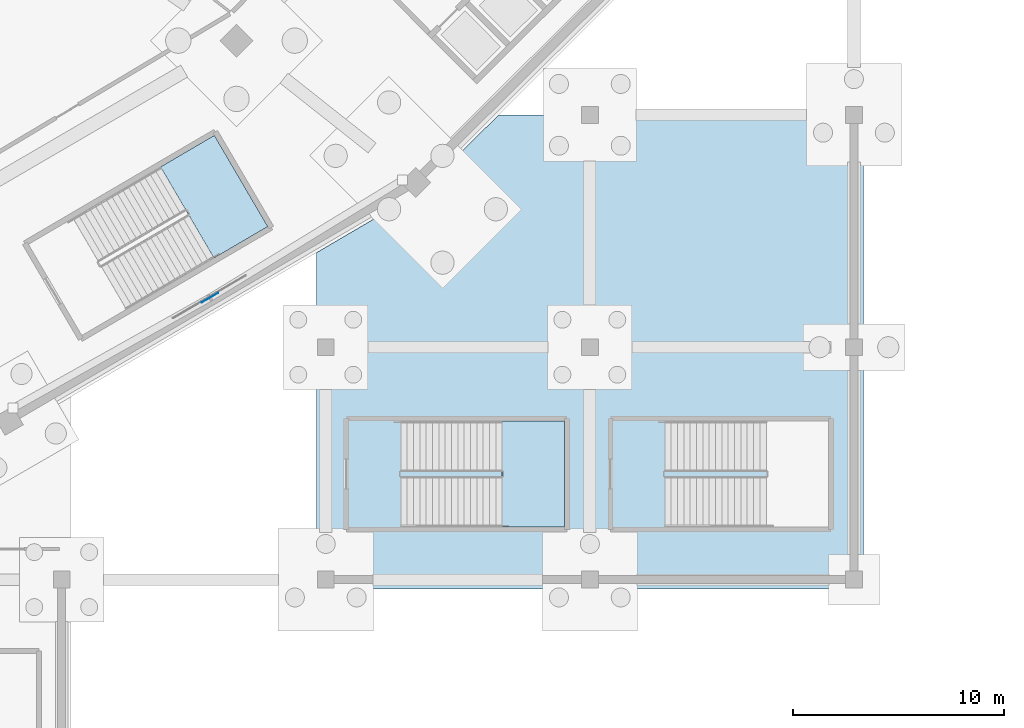
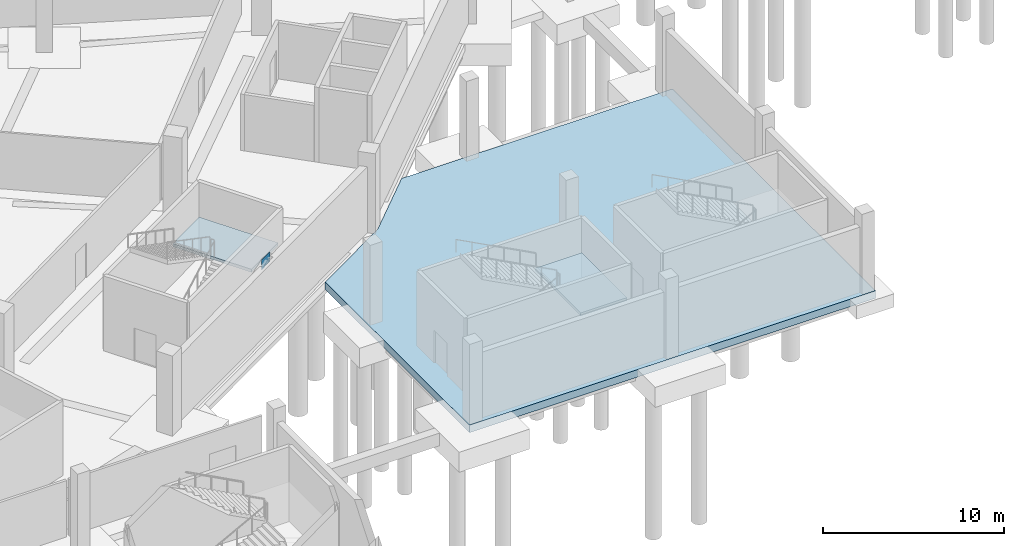
# One storey, part 19 of 74: 3 slabs, 1 plate, 2 elements without a shape of their own.
"""IFC4 building model written with IfcOpenShell, lengths in metres."""

from ifc_helpers import new_model, si_unit, direction, frame, origin, origin_2d, place, context, subcontext, project, spatial, polyline, rectangle, outline, extrude, material, layer, layer_set, type_object, element, aggregate, save


model = new_model("IFC4")

# Units and contexts
model_context = context("Model", 3, precision=1e-05, world=origin(), true_north=direction((0.0, 1.0)))
body_context = subcontext(model_context, "Body", "Model", "MODEL_VIEW")
ifc_project = project(units=[si_unit("LENGTHUNIT", "METRE"), si_unit("AREAUNIT", "SQUARE_METRE"), si_unit("VOLUMEUNIT", "CUBIC_METRE"), si_unit("PLANEANGLEUNIT", "RADIAN"), si_unit("MASSUNIT", "GRAM", prefix="KILO")], contexts=[model_context])

# Site, building, storey
site_placement = place(None, origin())
site = spatial("IfcSite", under=ifc_project, at=site_placement, CompositionType="ELEMENT")
building_placement = place(site_placement, origin())
building = spatial("IfcBuilding", under=site, at=building_placement, Name="Zlatoyarsky Gate Stadium", CompositionType="ELEMENT")
storey_placement = place(building_placement, frame((0.0, 0.0, -5.39990234375)))
storey = spatial("IfcBuildingStorey", under=building, at=storey_placement, Name="B1", CompositionType="ELEMENT", Elevation=-5.39990234375)

# Slab
ifc_material_1 = material(Name="Concrete C35/45", Category="concrete")
ifc_layer_1 = layer(ifc_material_1, 0.5)
ifc_layer_set_1 = layer_set([ifc_layer_1], Name="Concrete C35/45")
slab_type_1 = type_object("IfcSlabType", Name="CONCRETE BASE SLAB 500", PredefinedType="BASESLAB", material=ifc_layer_set_1)
slab_1_placement = place(storey_placement, frame((0.0, 0.0, -0.5)))
element("IfcSlab", 1, at=slab_1_placement, inside=storey, type_object=slab_type_1, Name="B1 wing V6_SE slab", PredefinedType="BASESLAB", context=body_context, shape_type="SweptSolid", body=[
    extrude(outline(polyline([(172.050048828125, 10.550048828125), (172.050048828125, 26.47021484375), (177.114501953125, 29.44189453125), (180.684814453125, 33.0), (197.949951171875, 33.0), (197.949951171875, 10.550048828125), (172.050048828125, 10.550048828125)])), origin(), (0.0, 0.0, 1.0), 0.5),
])

# Stair, slab
ifc_material_2 = material(Name="Concrete C40/50", Category="concrete")
stair_type = type_object("IfcStairType", Name="CONCRETE DOGLEG EXIT STAIR H5400", PredefinedType="TWO_STRAIGHT_RUN_STAIR", material=ifc_material_2)
stair_1_placement = place(storey_placement, origin())
stair_1 = element("IfcStair", 2, at=stair_1_placement, inside=storey, type_object=stair_type, Name="B1 Exit Stair ST-11", PredefinedType="TWO_STRAIGHT_RUN_STAIR")
ifc_layer_2 = layer(ifc_material_2, 0.199951171875)
ifc_layer_set_2 = layer_set([ifc_layer_2], Name="Concrete C40/50")
slab_type_2 = type_object("IfcSlabType", Name="CONCRETE STAIR LANDING SLAB 200", PredefinedType="LANDING", material=ifc_layer_set_2)
slab_2_placement = place(storey_placement, frame((0.0, 0.0, 2.5)))
slab_2 = element("IfcSlab", 3, at=slab_2_placement, type_object=slab_type_2, Name="ST-DG54 landing 1", PredefinedType="LANDING", context=body_context, shape_type="SweptSolid", body=[
    extrude(outline(polyline([(167.207275390625, 26.221923828125), (169.752685546875, 27.712890625), (167.225341796875, 32.027099609375), (164.679931640625, 30.5361328125), (167.207275390625, 26.221923828125)])), origin(), (0.0, 0.0, 1.0), 0.199951171875),
])
aggregate(stair_1, [slab_2])

stair_2_placement = place(storey_placement, origin())
stair_2 = element("IfcStair", 4, at=stair_2_placement, inside=storey, type_object=stair_type, Name="B1 Exit Stair ST-23", PredefinedType="TWO_STRAIGHT_RUN_STAIR")
slab_3_placement = place(storey_placement, frame((0.0, 0.0, 2.5)))
slab_3 = element("IfcSlab", 5, at=slab_3_placement, type_object=slab_type_2, Name="ST-DG54 landing 1", PredefinedType="LANDING", context=body_context, shape_type="SweptSolid", body=[
    extrude(outline(polyline([(180.85009765625, 13.5), (183.800048828125, 13.5), (183.800048828125, 18.5), (180.85009765625, 18.5), (180.85009765625, 13.5)])), origin(), (0.0, 0.0, 1.0), 0.199951171875),
])
aggregate(stair_2, [slab_3])

# Plate
ifc_material_3 = material(Name="Steel S355", Category="steel")
ifc_layer_3 = layer(ifc_material_3, 0.02001953125)
ifc_layer_set_3 = layer_set([ifc_layer_3], Name="Steel S355")
plate_type = type_object("IfcPlateType", Name="STEEL BRACE GUSSET PLATE 20", PredefinedType="USERDEFINED", material=ifc_layer_set_3)
plate_placement = place(storey_placement, frame((167.019287109375, 24.343505859375, 4.155029296875), z_axis=(0.0, 0.0, 1.0), x_axis=(0.862847886208, 0.505463673537, 0.0)))
element("IfcPlate", 6, at=plate_placement, inside=storey, type_object=plate_type, Name="Chevron brace gusset plate ND-BR1 7", ObjectType="GUSSET PLATE", PredefinedType="USERDEFINED", context=body_context, shape_type="SweptSolid", body=[
    extrude(rectangle(XDim=0.89990234375, YDim=0.02001953125, at=origin_2d()), origin(), (0.0, 0.0, 1.0), 0.64990234375),
])

save(model, "model.ifc")
